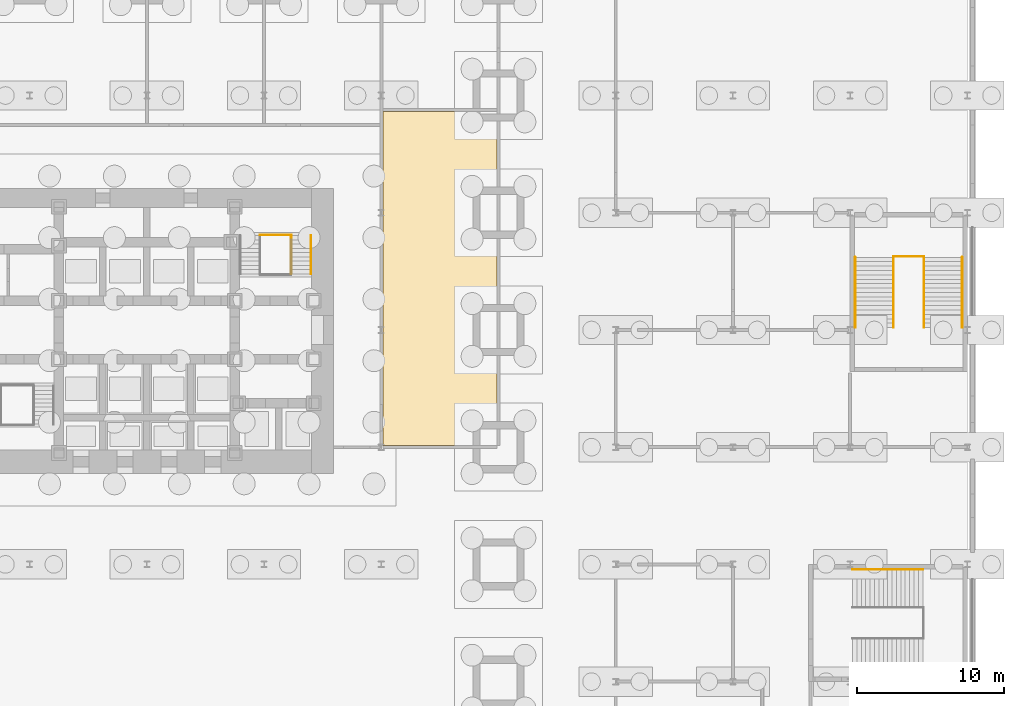
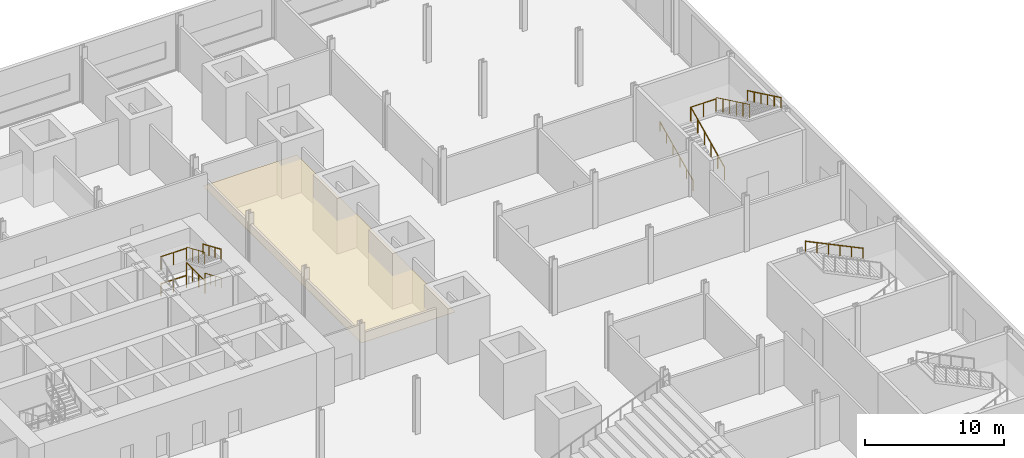
# One storey, part 23 of 24: 12 railings, 1 covering.
"""IFC4 building model written with IfcOpenShell, lengths in metres."""

import ifcopenshell
import ifcopenshell.guid

model = None  # the IFC model being written
_history = None  # IfcOwnerHistory: only IFC2X3 demands one
_inside = {}  # id of a spatial element -> (the spatial element, [elements in it])
_under = {}  # id of a project, library or spatial element -> (it, [spatial elements below it])
_declared = {}  # id of a project -> (the project, [libraries it declares])
_typed = {}  # id of a type object -> (the type object, [elements of that type])
_made_of = {}  # id of a material, layer set ... -> (it, [elements and type objects made of it])


def new_model(schema):
    """Start an empty IFC model of exactly this schema.

    Asked for "IFC4X3", IfcOpenShell would pick the latest addendum, in which some entities
    have other attributes; the version numbers below select the first issue.
    IFC2X3 requires an IfcOwnerHistory on every rooted entity: one is made here for all.
    """
    global model, _history
    if schema == "IFC4X3":
        model = ifcopenshell.file(schema_version=(4, 3, 0, 0))
    else:
        model = ifcopenshell.file(schema=schema)
    _inside.clear()
    _under.clear()
    _declared.clear()
    _typed.clear()
    _made_of.clear()
    _history = None
    if model.schema == "IFC2X3":
        org = make("IfcOrganization", Name="unknown")
        user = make(
            "IfcPersonAndOrganization",
            ThePerson=make("IfcPerson", FamilyName="unknown"),
            TheOrganization=org,
        )
        app = make(
            "IfcApplication",
            ApplicationDeveloper=org,
            Version="unknown",
            ApplicationFullName="unknown",
            ApplicationIdentifier="unknown",
        )
        _history = make(
            "IfcOwnerHistory",
            OwningUser=user,
            OwningApplication=app,
            ChangeAction="ADDED",
            CreationDate=0,
        )
    return model


def make(cls, **values):
    """One entity of the class cls with the attributes given. An attribute that is None is left unset."""
    return model.create_entity(
        cls, **{name: value for name, value in values.items() if value is not None}
    )


def rooted(cls, **values):
    """An entity with a GlobalId (a new one), such as an element, a storey or a relation."""
    return make(cls, GlobalId=ifcopenshell.guid.new(), OwnerHistory=_history, **values)


def si_unit(unit_type, name, prefix=None):
    """IfcSIUnit, for example si_unit("LENGTHUNIT", "METRE", prefix="MILLI")."""
    return make("IfcSIUnit", UnitType=unit_type, Prefix=prefix, Name=name)


def assignment(units):
    """IfcUnitAssignment: the units of a project."""
    return None if units is None else make("IfcUnitAssignment", Units=units)


def point(xyz):
    """IfcCartesianPoint."""
    return None if xyz is None else make("IfcCartesianPoint", Coordinates=xyz)


def direction(xyz):
    """IfcDirection."""
    return None if xyz is None else make("IfcDirection", DirectionRatios=xyz)


def frame(location, z_axis=None, x_axis=None):
    """IfcAxis2Placement3D, a coordinate frame: its origin and axes. An axis left out is left unset."""
    return make(
        "IfcAxis2Placement3D",
        Location=point(location),
        Axis=direction(z_axis),
        RefDirection=direction(x_axis),
    )


def frame_2d(location, x_axis=None):
    """IfcAxis2Placement2D, a coordinate frame in the plane: its origin and x axis."""
    return make(
        "IfcAxis2Placement2D", Location=point(location), RefDirection=direction(x_axis)
    )


def origin():
    """The frame at (0, 0, 0) with its axes left unset."""
    return frame((0.0, 0.0, 0.0))


def origin_2d():
    """The frame at (0, 0) in the plane with its x axis left unset."""
    return frame_2d((0.0, 0.0))


def place(relative_to, where):
    """IfcLocalPlacement: puts the frame where relative to a parent placement (None: the world)."""
    return make(
        "IfcLocalPlacement", PlacementRelTo=relative_to, RelativePlacement=where
    )


def context(
    kind, dimensions, precision=None, world=None, true_north=None, identifier=None
):
    """IfcGeometricRepresentationContext, for example the 3D "Model" context."""
    return make(
        "IfcGeometricRepresentationContext",
        ContextIdentifier=identifier,
        ContextType=kind,
        CoordinateSpaceDimension=dimensions,
        Precision=precision,
        WorldCoordinateSystem=world,
        TrueNorth=true_north,
    )


def subcontext(parent, identifier, kind, view, scale=None):
    """IfcGeometricRepresentationSubContext, for example "Body" below "Model"."""
    return make(
        "IfcGeometricRepresentationSubContext",
        ContextIdentifier=identifier,
        ContextType=kind,
        ParentContext=parent,
        TargetScale=scale,
        TargetView=view,
    )


def project(units=None, contexts=None):
    """IfcProject with its units and contexts."""
    return rooted(
        "IfcProject",
        Name="project",
        RepresentationContexts=contexts,
        UnitsInContext=assignment(units),
    )


def spatial(cls, under=None, at=None, **own):
    """A site, building, storey or space (cls), placed at a placement, below another one or the project."""
    s = rooted(cls, ObjectPlacement=at, **own)
    if under is not None:
        _under.setdefault(under.id(), (under, []))[1].append(s)
    return s


def polyline(points):
    """IfcPolyline through the points."""
    return make("IfcPolyline", Points=[point(p) for p in points])


def profile(cls, at=None, kind="AREA", **sizes):
    """A parametric profile (cls). Its sizes go by their IFC names, for example OverallWidth=200.0."""
    return make(cls, ProfileType=kind, Position=at, **sizes)


def circle(**sizes):
    """IfcCircleProfileDef."""
    return profile("IfcCircleProfileDef", **sizes)


def outline(outer, holes=None, kind="AREA"):
    """IfcArbitraryClosedProfileDef: a profile drawn as a closed curve; with holes, ...WithVoids."""
    if holes is None:
        return make("IfcArbitraryClosedProfileDef", ProfileType=kind, OuterCurve=outer)
    return make(
        "IfcArbitraryProfileDefWithVoids",
        ProfileType=kind,
        OuterCurve=outer,
        InnerCurves=holes,
    )


def extrude(swept, where, along, depth):
    """IfcExtrudedAreaSolid: the profile swept, set in the frame where, extruded along a direction by depth."""
    return make(
        "IfcExtrudedAreaSolid",
        SweptArea=swept,
        Position=where,
        ExtrudedDirection=direction(along),
        Depth=depth,
    )


def shape(context_of_items, identifier, shape_type, items):
    """IfcShapeRepresentation: the items that make up one representation, for example the "Body"."""
    return make(
        "IfcShapeRepresentation",
        ContextOfItems=context_of_items,
        RepresentationIdentifier=identifier,
        RepresentationType=shape_type,
        Items=items,
    )


def material(Name=None, Category=None):
    """IfcMaterial."""
    return make("IfcMaterial", Name=Name, Category=Category)


def layer(
    of_material, thickness, ventilated=None, Name=None, Category=None, Priority=None
):
    """IfcMaterialLayer: one layer of a wall or slab, of a material (None: an air gap)."""
    return make(
        "IfcMaterialLayer",
        Material=of_material,
        LayerThickness=thickness,
        IsVentilated=ventilated,
        Name=Name,
        Category=Category,
        Priority=Priority,
    )


def layer_set(layers, Name=None):
    """IfcMaterialLayerSet."""
    return make("IfcMaterialLayerSet", MaterialLayers=layers, LayerSetName=Name)


def made_of(thing, what):
    """Note that an element or type object is made of a material, layer set ...; save() writes the relation."""
    if what is not None:
        _made_of.setdefault(what.id(), (what, []))[1].append(thing)
    return thing


def type_object(cls, material=None, **own):
    """A type object (cls), such as IfcWallType, which elements share."""
    return made_of(rooted(cls, **own), material)


def element(
    cls,
    number,
    at=None,
    inside=None,
    cuts=None,
    type_object=None,
    material=None,
    context=None,
    identifier="Body",
    shape_type=None,
    held_by="IfcProductDefinitionShape",
    body=None,
    shapes=None,
    **own,
):
    """One element of the class cls, such as IfcWall. Its Tag is "e" and its number.

    at: its placement. inside: the storey or other place that contains it. cuts: it is an
    opening in that element (IfcRelVoidsElement). A single representation is given by context,
    identifier, shape_type and body (its items); several are given by shapes. held_by: the class
    of the entity that holds the representations. save() writes the other relations.
    """
    e = rooted(cls, Tag="e%d" % number, ObjectPlacement=at, **own)
    if body is not None:
        shapes = [shape(context, identifier, shape_type, body)]
    if shapes is not None:
        e.Representation = make(held_by, Representations=shapes)
    if inside is not None:
        _inside.setdefault(inside.id(), (inside, []))[1].append(e)
    if cuts is not None:
        rooted(
            "IfcRelVoidsElement", RelatingBuildingElement=cuts, RelatedOpeningElement=e
        )
    if type_object is not None:
        _typed.setdefault(type_object.id(), (type_object, []))[1].append(e)
    return made_of(e, material)


def aggregate(whole, parts):
    """IfcRelAggregates: a whole, such as a stair, and the parts it consists of."""
    return rooted("IfcRelAggregates", RelatingObject=whole, RelatedObjects=parts)


def save(model, path):
    """Write the relations noted so far, then the file.

    IfcRelAggregates (storeys below a building ...), IfcRelContainedInSpatialStructure (elements
    in a storey), IfcRelDefinesByType, IfcRelAssociatesMaterial and IfcRelDeclares: one each for
    every whole, place, type object, material and project.
    """
    for whole, parts in _under.values():
        aggregate(whole, parts)
    for where, things in _inside.values():
        rooted(
            "IfcRelContainedInSpatialStructure",
            RelatedElements=things,
            RelatingStructure=where,
        )
    for kind, things in _typed.values():
        rooted("IfcRelDefinesByType", RelatedObjects=things, RelatingType=kind)
    for what, things in _made_of.values():
        rooted("IfcRelAssociatesMaterial", RelatedObjects=things, RelatingMaterial=what)
    for by, libraries in _declared.values():
        rooted("IfcRelDeclares", RelatingContext=by, RelatedDefinitions=libraries)
    model.write(path)


model = new_model("IFC4")

# Units and contexts
model_context = context("Model", 3, precision=1e-05, world=origin(), true_north=direction((0.0, 1.0)))
body_context = subcontext(model_context, "Body", "Model", "MODEL_VIEW")
ifc_project = project(units=[si_unit("LENGTHUNIT", "METRE"), si_unit("AREAUNIT", "SQUARE_METRE"), si_unit("VOLUMEUNIT", "CUBIC_METRE"), si_unit("PLANEANGLEUNIT", "RADIAN"), si_unit("MASSUNIT", "GRAM", prefix="KILO")], contexts=[model_context])

# Site, building, storey
site_placement = place(None, origin())
site = spatial("IfcSite", under=ifc_project, at=site_placement, CompositionType="ELEMENT")
building_placement = place(site_placement, origin())
building = spatial("IfcBuilding", under=site, at=building_placement, Name="Daluyong Arena Tower", CompositionType="ELEMENT")
storey_placement = place(building_placement, origin())
storey = spatial("IfcBuildingStorey", under=building, at=storey_placement, Name="L00", CompositionType="ELEMENT", Elevation=0.0)

# Covering
ifc_material_1 = material(Name="Mineral fibre ceiling tile", Category="gypsum board")
ifc_layer = layer(ifc_material_1, 0.02001953125)
ifc_layer_set = layer_set([ifc_layer], Name="Mineral fibre ceiling tile")
covering_type = type_object("IfcCoveringType", Name="Office ceiling", PredefinedType="CEILING", material=ifc_layer_set)
covering_placement = place(storey_placement, frame((0.0, 0.0, 2.89990234375)))
element("IfcCovering", 1, at=covering_placement, inside=storey, type_object=covering_type, Name="ceiling L00-47", PredefinedType="CEILING", context=body_context, shape_type="SweptSolid", body=[
    extrude(outline(polyline([(79.89990234375, 72.10009765625), (79.89990234375, 94.89990234375), (72.10009765625, 94.89990234375), (72.10009765625, 72.10009765625), (79.89990234375, 72.10009765625)])), origin(), (0.0, 0.0, 1.0), 0.02001953125),
])

# Railings
ifc_material_2 = material(Name="Stainless steel handrail", Category="steel")
railing_type_1 = type_object("IfcRailingType", Name="Stair handrail", PredefinedType="HANDRAIL", material=ifc_material_2)
railing_1_placement = place(storey_placement, frame((67.199951171875, 86.14501953125, 1.382080078125)))
element("IfcRailing", 2, at=railing_1_placement, inside=storey, type_object=railing_type_1, Name="exit stair B handrail L00", PredefinedType="HANDRAIL", context=body_context, shape_type="SweptSolid", body=[
    extrude(circle(Radius=0.02392578125, at=origin_2d()), frame((0.0, 0.0, 0.8759765625), z_axis=(0.0, -0.917589674636, 0.397528853044), x_axis=(1.0, 0.0, 0.0)), (0.0, 0.0, 1.0), 2.5283203125),
    extrude(circle(Radius=0.02099609375, at=origin_2d()), origin(), (0.0, 0.0, 1.0), 0.851806640625),
    extrude(circle(Radius=0.02099609375, at=origin_2d()), frame((0.0, -0.7734375, 0.3349609375)), (0.0, 0.0, 1.0), 0.851806640625),
    extrude(circle(Radius=0.02099609375, at=origin_2d()), frame((0.0, -1.546630859375, 0.670166015625)), (0.0, 0.0, 1.0), 0.851806640625),
    extrude(circle(Radius=0.02099609375, at=origin_2d()), frame((0.0, -2.320068359375, 1.005126953125)), (0.0, 0.0, 1.0), 0.851806640625),
])
railing_2_placement = place(storey_placement, frame((67.199951171875, 86.43505859375, 3.769287109375)))
element("IfcRailing", 3, at=railing_2_placement, inside=storey, type_object=railing_type_1, Name="exit stair B handrail L00", PredefinedType="HANDRAIL", context=body_context, shape_type="SweptSolid", body=[
    extrude(circle(Radius=0.02392578125, at=origin_2d()), frame((0.0, 0.0, 0.8759765625), z_axis=(0.0, -0.917610936378, 0.397479772366), x_axis=(1.0, 0.0, 0.0)), (0.0, 0.0, 1.0), 2.844482421875),
    extrude(circle(Radius=0.02099609375, at=origin_2d()), origin(), (0.0, 0.0, 1.0), 0.851806640625),
    extrude(circle(Radius=0.02099609375, at=origin_2d()), frame((0.0, -0.8701171875, 0.376953125)), (0.0, 0.0, 1.0), 0.851806640625),
    extrude(circle(Radius=0.02099609375, at=origin_2d()), frame((0.0, -1.739990234375, 0.753662109375)), (0.0, 0.0, 1.0), 0.851806640625),
    extrude(circle(Radius=0.02099609375, at=origin_2d()), frame((0.0, -2.610107421875, 1.130615234375)), (0.0, 0.0, 1.0), 0.851806640625),
])
railing_3_placement = place(storey_placement, frame((104.35009765625, 80.159912109375, 0.14404296875)))
element("IfcRailing", 4, at=railing_3_placement, inside=storey, type_object=railing_type_1, Name="exit stair PS6 handrail L00", PredefinedType="HANDRAIL", context=body_context, shape_type="SweptSolid", body=[
    extrude(circle(Radius=0.02392578125, at=origin_2d()), frame((0.0, 0.0, 0.8759765625), z_axis=(0.0, 0.901384935985, 0.433018703036), x_axis=(-1.0, 0.0, 0.0)), (0.0, 0.0, 1.0), 5.3251953125),
    extrude(circle(Radius=0.02099609375, at=origin_2d()), origin(), (0.0, 0.0, 1.0), 0.851806640625),
    extrude(circle(Radius=0.02099609375, at=origin_2d()), frame((0.0, 0.9599609375, 0.461181640625)), (0.0, 0.0, 1.0), 0.851806640625),
    extrude(circle(Radius=0.02099609375, at=origin_2d()), frame((0.0, 1.919921875, 0.92236328125)), (0.0, 0.0, 1.0), 0.851806640625),
    extrude(circle(Radius=0.02099609375, at=origin_2d()), frame((0.0, 2.880126953125, 1.383544921875)), (0.0, 0.0, 1.0), 0.851806640625),
    extrude(circle(Radius=0.02099609375, at=origin_2d()), frame((0.0, 3.840087890625, 1.8447265625)), (0.0, 0.0, 1.0), 0.851806640625),
    extrude(circle(Radius=0.02099609375, at=origin_2d()), frame((0.0, 4.800048828125, 2.305908203125)), (0.0, 0.0, 1.0), 0.851806640625),
])
railing_4_placement = place(storey_placement, frame((111.64990234375, 84.9599609375, 2.59423828125)))
element("IfcRailing", 5, at=railing_4_placement, inside=storey, type_object=railing_type_1, Name="exit stair PS6 handrail L00", PredefinedType="HANDRAIL", context=body_context, shape_type="SweptSolid", body=[
    extrude(circle(Radius=0.02392578125, at=origin_2d()), frame((0.0, 0.0, 0.8759765625), z_axis=(0.0, -0.901402830156, 0.432981452011), x_axis=(1.0, 0.0, 0.0)), (0.0, 0.0, 1.0), 5.3251953125),
    extrude(circle(Radius=0.02099609375, at=origin_2d()), origin(), (0.0, 0.0, 1.0), 0.851806640625),
    extrude(circle(Radius=0.02099609375, at=origin_2d()), frame((0.0, -0.9599609375, 0.461181640625)), (0.0, 0.0, 1.0), 0.851806640625),
    extrude(circle(Radius=0.02099609375, at=origin_2d()), frame((0.0, -1.919921875, 0.92236328125)), (0.0, 0.0, 1.0), 0.851806640625),
    extrude(circle(Radius=0.02099609375, at=origin_2d()), frame((0.0, -2.880126953125, 1.38330078125)), (0.0, 0.0, 1.0), 0.851806640625),
    extrude(circle(Radius=0.02099609375, at=origin_2d()), frame((0.0, -3.840087890625, 1.844482421875)), (0.0, 0.0, 1.0), 0.851806640625),
    extrude(circle(Radius=0.02099609375, at=origin_2d()), frame((0.0, -4.800048828125, 2.3056640625)), (0.0, 0.0, 1.0), 0.851806640625),
])
railing_5_placement = place(storey_placement, frame((108.9599609375, 63.64990234375, 2.59423828125)))
element("IfcRailing", 6, at=railing_5_placement, inside=storey, type_object=railing_type_1, Name="exit stair PS8 handrail L00", PredefinedType="HANDRAIL", context=body_context, shape_type="SweptSolid", body=[
    extrude(circle(Radius=0.02392578125, at=origin_2d()), frame((0.0, 0.0, 0.8759765625), z_axis=(-0.901402830156, 0.0, 0.432981452011), x_axis=(0.0, -1.0, 0.0)), (0.0, 0.0, 1.0), 5.3251953125),
    extrude(circle(Radius=0.02099609375, at=origin_2d()), origin(), (0.0, 0.0, 1.0), 0.851806640625),
    extrude(circle(Radius=0.02099609375, at=origin_2d()), frame((-0.9599609375, 0.0, 0.461181640625)), (0.0, 0.0, 1.0), 0.851806640625),
    extrude(circle(Radius=0.02099609375, at=origin_2d()), frame((-1.919921875, 0.0, 0.92236328125)), (0.0, 0.0, 1.0), 0.851806640625),
    extrude(circle(Radius=0.02099609375, at=origin_2d()), frame((-2.880126953125, 0.0, 1.38330078125)), (0.0, 0.0, 1.0), 0.851806640625),
    extrude(circle(Radius=0.02099609375, at=origin_2d()), frame((-3.840087890625, 0.0, 1.844482421875)), (0.0, 0.0, 1.0), 0.851806640625),
    extrude(circle(Radius=0.02099609375, at=origin_2d()), frame((-4.800048828125, 0.0, 2.3056640625)), (0.0, 0.0, 1.0), 0.851806640625),
])
ifc_material_3 = material(Name="Steel balustrade", Category="steel")
railing_type_2 = type_object("IfcRailingType", Name="Stair well guard 1100", PredefinedType="GUARDRAIL", material=ifc_material_3)
railing_6_placement = place(storey_placement, frame((65.85009765625, 86.43505859375, 3.769287109375)))
element("IfcRailing", 7, at=railing_6_placement, inside=storey, type_object=railing_type_2, Name="exit stair B well guard L00", PredefinedType="GUARDRAIL", context=body_context, shape_type="SweptSolid", body=[
    extrude(circle(Radius=0.02392578125, at=origin_2d()), frame((0.0, 0.0, 1.076171875), z_axis=(0.0, -0.917610936378, 0.397479772366), x_axis=(1.0, 0.0, 0.0)), (0.0, 0.0, 1.0), 2.844482421875),
    extrude(circle(Radius=0.02099609375, at=origin_2d()), origin(), (0.0, 0.0, 1.0), 1.052001953125),
    extrude(circle(Radius=0.02099609375, at=origin_2d()), frame((0.0, -0.8701171875, 0.376953125)), (0.0, 0.0, 1.0), 1.052001953125),
    extrude(circle(Radius=0.02099609375, at=origin_2d()), frame((0.0, -1.739990234375, 0.753662109375)), (0.0, 0.0, 1.0), 1.052001953125),
    extrude(circle(Radius=0.02099609375, at=origin_2d()), frame((0.0, -2.610107421875, 1.130615234375)), (0.0, 0.0, 1.0), 1.052001953125),
])
for number, where, name in (
    (8, (63.72509765625, 86.485107421875, 1.25634765625), "exit stair B landing guard L00"),
    (9, (63.72509765625, 86.485107421875, 3.6435546875), "exit stair B landing guard L00"),
):
    element("IfcRailing", number, at=place(storey_placement, frame(where)), inside=storey, type_object=railing_type_2, Name=name, PredefinedType="GUARDRAIL", context=body_context, shape_type="SweptSolid", body=[
        extrude(circle(Radius=0.02392578125, at=origin_2d()), frame((0.0, 0.0, 1.076171875), z_axis=(1.0, 0.0, 0.0), x_axis=(0.0, 1.0, 0.0)), (0.0, 0.0, 1.0), 2.125),
        extrude(circle(Radius=0.02099609375, at=origin_2d()), origin(), (0.0, 0.0, 1.0), 1.052001953125),
        extrude(circle(Radius=0.02099609375, at=origin_2d()), frame((1.0625, 0.0, 0.0)), (0.0, 0.0, 1.0), 1.052001953125),
        extrude(circle(Radius=0.02099609375, at=origin_2d()), frame((2.125, 0.0, 0.0)), (0.0, 0.0, 1.0), 1.052001953125),
    ])
railing_7_placement = place(storey_placement, frame((65.85009765625, 86.485107421875, 2.38720703125)))
element("IfcRailing", 10, at=railing_7_placement, inside=storey, type_object=railing_type_2, Name="exit stair B landing guard L00", PredefinedType="GUARDRAIL", context=body_context, shape_type="SweptSolid", body=[
    extrude(circle(Radius=0.02392578125, at=origin_2d()), frame((0.0, 0.0, 1.076171875), z_axis=(0.0, -1.0, 0.0), x_axis=(1.0, 0.0, 0.0)), (0.0, 0.0, 1.0), 2.66015625),
    extrude(circle(Radius=0.02099609375, at=origin_2d()), origin(), (0.0, 0.0, 1.0), 1.052001953125),
    extrude(circle(Radius=0.02099609375, at=origin_2d()), frame((0.0, -0.88671875, 0.0)), (0.0, 0.0, 1.0), 1.052001953125),
    extrude(circle(Radius=0.02099609375, at=origin_2d()), frame((0.0, -1.7734375, 0.0)), (0.0, 0.0, 1.0), 1.052001953125),
    extrude(circle(Radius=0.02099609375, at=origin_2d()), frame((0.0, -2.66015625, 0.0)), (0.0, 0.0, 1.0), 1.052001953125),
])
ifc_material_4 = material(Name="Steel balustrade", Category="steel")
railing_type_3 = type_object("IfcRailingType", Name="Stair well guard 1200", PredefinedType="GUARDRAIL", material=ifc_material_4)
railing_8_placement = place(storey_placement, frame((106.949951171875, 80.159912109375, 0.14404296875)))
element("IfcRailing", 11, at=railing_8_placement, inside=storey, type_object=railing_type_3, Name="exit stair PS6 well guard L00", PredefinedType="GUARDRAIL", context=body_context, shape_type="SweptSolid", body=[
    extrude(circle(Radius=0.02392578125, at=origin_2d()), frame((0.0, 0.0, 1.17578125), z_axis=(0.0, 0.901384935985, 0.433018703036), x_axis=(-1.0, 0.0, 0.0)), (0.0, 0.0, 1.0), 5.3251953125),
    extrude(circle(Radius=0.02099609375, at=origin_2d()), origin(), (0.0, 0.0, 1.0), 1.15185546875),
    extrude(circle(Radius=0.02099609375, at=origin_2d()), frame((0.0, 0.9599609375, 0.461181640625)), (0.0, 0.0, 1.0), 1.15185546875),
    extrude(circle(Radius=0.02099609375, at=origin_2d()), frame((0.0, 1.919921875, 0.92236328125)), (0.0, 0.0, 1.0), 1.15185546875),
    extrude(circle(Radius=0.02099609375, at=origin_2d()), frame((0.0, 2.880126953125, 1.383544921875)), (0.0, 0.0, 1.0), 1.15185546875),
    extrude(circle(Radius=0.02099609375, at=origin_2d()), frame((0.0, 3.840087890625, 1.8447265625)), (0.0, 0.0, 1.0), 1.15185546875),
    extrude(circle(Radius=0.02099609375, at=origin_2d()), frame((0.0, 4.800048828125, 2.305908203125)), (0.0, 0.0, 1.0), 1.15185546875),
])
railing_9_placement = place(storey_placement, frame((109.050048828125, 84.9599609375, 2.59423828125)))
element("IfcRailing", 12, at=railing_9_placement, inside=storey, type_object=railing_type_3, Name="exit stair PS6 well guard L00", PredefinedType="GUARDRAIL", context=body_context, shape_type="SweptSolid", body=[
    extrude(circle(Radius=0.02392578125, at=origin_2d()), frame((0.0, 0.0, 1.17578125), z_axis=(0.0, -0.901402830156, 0.432981452011), x_axis=(1.0, 0.0, 0.0)), (0.0, 0.0, 1.0), 5.3251953125),
    extrude(circle(Radius=0.02099609375, at=origin_2d()), origin(), (0.0, 0.0, 1.0), 1.15185546875),
    extrude(circle(Radius=0.02099609375, at=origin_2d()), frame((0.0, -0.9599609375, 0.461181640625)), (0.0, 0.0, 1.0), 1.15185546875),
    extrude(circle(Radius=0.02099609375, at=origin_2d()), frame((0.0, -1.919921875, 0.92236328125)), (0.0, 0.0, 1.0), 1.15185546875),
    extrude(circle(Radius=0.02099609375, at=origin_2d()), frame((0.0, -2.880126953125, 1.38330078125)), (0.0, 0.0, 1.0), 1.15185546875),
    extrude(circle(Radius=0.02099609375, at=origin_2d()), frame((0.0, -3.840087890625, 1.844482421875)), (0.0, 0.0, 1.0), 1.15185546875),
    extrude(circle(Radius=0.02099609375, at=origin_2d()), frame((0.0, -4.800048828125, 2.3056640625)), (0.0, 0.0, 1.0), 1.15185546875),
])
railing_10_placement = place(storey_placement, frame((106.949951171875, 85.010009765625, 2.449951171875)))
element("IfcRailing", 13, at=railing_10_placement, inside=storey, type_object=railing_type_3, Name="exit stair PS6 landing guard L00", PredefinedType="GUARDRAIL", context=body_context, shape_type="SweptSolid", body=[
    extrude(circle(Radius=0.02392578125, at=origin_2d()), frame((0.0, 0.0, 1.17578125), z_axis=(1.0, 0.0, 0.0), x_axis=(0.0, 1.0, 0.0)), (0.0, 0.0, 1.0), 2.10009765625),
    extrude(circle(Radius=0.02099609375, at=origin_2d()), origin(), (0.0, 0.0, 1.0), 1.15185546875),
    extrude(circle(Radius=0.02099609375, at=origin_2d()), frame((1.050048828125, 0.0, 0.0)), (0.0, 0.0, 1.0), 1.15185546875),
    extrude(circle(Radius=0.02099609375, at=origin_2d()), frame((2.10009765625, 0.0, 0.0)), (0.0, 0.0, 1.0), 1.15185546875),
])

save(model, "model.ifc")
